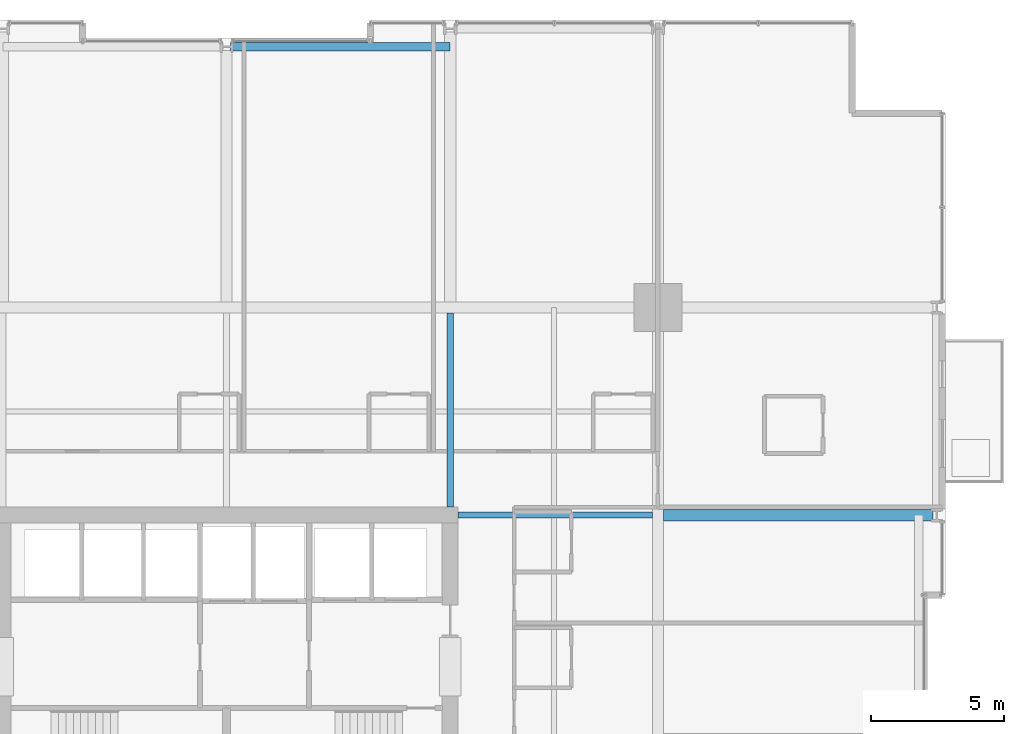
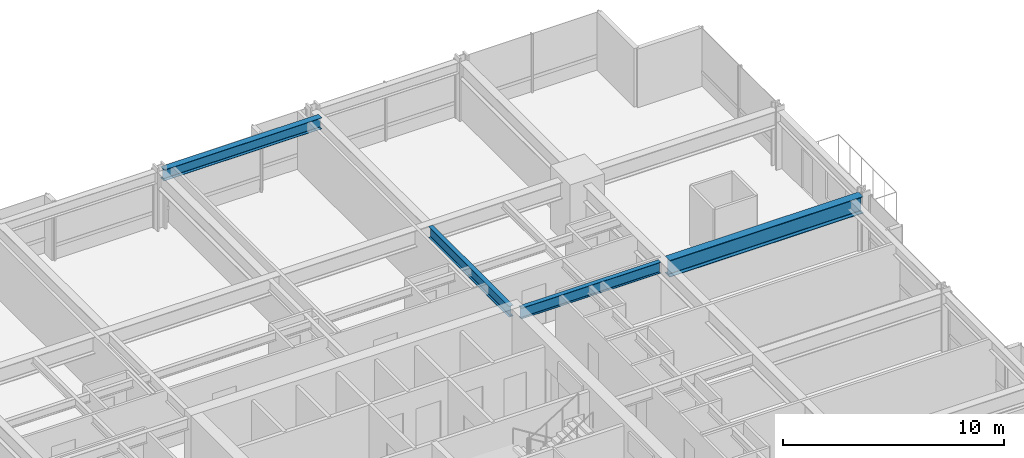
# One storey, part 24 of 38: 4 beams.
"""IFC4 building model written with IfcOpenShell, lengths in metres."""

import ifcopenshell
import ifcopenshell.guid

model = None  # the IFC model being written
_history = None  # IfcOwnerHistory: only IFC2X3 demands one
_inside = {}  # id of a spatial element -> (the spatial element, [elements in it])
_under = {}  # id of a project, library or spatial element -> (it, [spatial elements below it])
_declared = {}  # id of a project -> (the project, [libraries it declares])
_typed = {}  # id of a type object -> (the type object, [elements of that type])
_made_of = {}  # id of a material, layer set ... -> (it, [elements and type objects made of it])


def new_model(schema):
    """Start an empty IFC model of exactly this schema.

    Asked for "IFC4X3", IfcOpenShell would pick the latest addendum, in which some entities
    have other attributes; the version numbers below select the first issue.
    IFC2X3 requires an IfcOwnerHistory on every rooted entity: one is made here for all.
    """
    global model, _history
    if schema == "IFC4X3":
        model = ifcopenshell.file(schema_version=(4, 3, 0, 0))
    else:
        model = ifcopenshell.file(schema=schema)
    _inside.clear()
    _under.clear()
    _declared.clear()
    _typed.clear()
    _made_of.clear()
    _history = None
    if model.schema == "IFC2X3":
        org = make("IfcOrganization", Name="unknown")
        user = make(
            "IfcPersonAndOrganization",
            ThePerson=make("IfcPerson", FamilyName="unknown"),
            TheOrganization=org,
        )
        app = make(
            "IfcApplication",
            ApplicationDeveloper=org,
            Version="unknown",
            ApplicationFullName="unknown",
            ApplicationIdentifier="unknown",
        )
        _history = make(
            "IfcOwnerHistory",
            OwningUser=user,
            OwningApplication=app,
            ChangeAction="ADDED",
            CreationDate=0,
        )
    return model


def make(cls, **values):
    """One entity of the class cls with the attributes given. An attribute that is None is left unset."""
    return model.create_entity(
        cls, **{name: value for name, value in values.items() if value is not None}
    )


def rooted(cls, **values):
    """An entity with a GlobalId (a new one), such as an element, a storey or a relation."""
    return make(cls, GlobalId=ifcopenshell.guid.new(), OwnerHistory=_history, **values)


def si_unit(unit_type, name, prefix=None):
    """IfcSIUnit, for example si_unit("LENGTHUNIT", "METRE", prefix="MILLI")."""
    return make("IfcSIUnit", UnitType=unit_type, Prefix=prefix, Name=name)


def assignment(units):
    """IfcUnitAssignment: the units of a project."""
    return None if units is None else make("IfcUnitAssignment", Units=units)


def point(xyz):
    """IfcCartesianPoint."""
    return None if xyz is None else make("IfcCartesianPoint", Coordinates=xyz)


def direction(xyz):
    """IfcDirection."""
    return None if xyz is None else make("IfcDirection", DirectionRatios=xyz)


def frame(location, z_axis=None, x_axis=None):
    """IfcAxis2Placement3D, a coordinate frame: its origin and axes. An axis left out is left unset."""
    return make(
        "IfcAxis2Placement3D",
        Location=point(location),
        Axis=direction(z_axis),
        RefDirection=direction(x_axis),
    )


def frame_2d(location, x_axis=None):
    """IfcAxis2Placement2D, a coordinate frame in the plane: its origin and x axis."""
    return make(
        "IfcAxis2Placement2D", Location=point(location), RefDirection=direction(x_axis)
    )


def origin():
    """The frame at (0, 0, 0) with its axes left unset."""
    return frame((0.0, 0.0, 0.0))


def origin_2d():
    """The frame at (0, 0) in the plane with its x axis left unset."""
    return frame_2d((0.0, 0.0))


def place(relative_to, where):
    """IfcLocalPlacement: puts the frame where relative to a parent placement (None: the world)."""
    return make(
        "IfcLocalPlacement", PlacementRelTo=relative_to, RelativePlacement=where
    )


def context(
    kind, dimensions, precision=None, world=None, true_north=None, identifier=None
):
    """IfcGeometricRepresentationContext, for example the 3D "Model" context."""
    return make(
        "IfcGeometricRepresentationContext",
        ContextIdentifier=identifier,
        ContextType=kind,
        CoordinateSpaceDimension=dimensions,
        Precision=precision,
        WorldCoordinateSystem=world,
        TrueNorth=true_north,
    )


def subcontext(parent, identifier, kind, view, scale=None):
    """IfcGeometricRepresentationSubContext, for example "Body" below "Model"."""
    return make(
        "IfcGeometricRepresentationSubContext",
        ContextIdentifier=identifier,
        ContextType=kind,
        ParentContext=parent,
        TargetScale=scale,
        TargetView=view,
    )


def project(units=None, contexts=None):
    """IfcProject with its units and contexts."""
    return rooted(
        "IfcProject",
        Name="project",
        RepresentationContexts=contexts,
        UnitsInContext=assignment(units),
    )


def spatial(cls, under=None, at=None, **own):
    """A site, building, storey or space (cls), placed at a placement, below another one or the project."""
    s = rooted(cls, ObjectPlacement=at, **own)
    if under is not None:
        _under.setdefault(under.id(), (under, []))[1].append(s)
    return s


def profile(cls, at=None, kind="AREA", **sizes):
    """A parametric profile (cls). Its sizes go by their IFC names, for example OverallWidth=200.0."""
    return make(cls, ProfileType=kind, Position=at, **sizes)


def i_section(**sizes):
    """IfcIShapeProfileDef."""
    return profile("IfcIShapeProfileDef", **sizes)


def extrude(swept, where, along, depth):
    """IfcExtrudedAreaSolid: the profile swept, set in the frame where, extruded along a direction by depth."""
    return make(
        "IfcExtrudedAreaSolid",
        SweptArea=swept,
        Position=where,
        ExtrudedDirection=direction(along),
        Depth=depth,
    )


def shape(context_of_items, identifier, shape_type, items):
    """IfcShapeRepresentation: the items that make up one representation, for example the "Body"."""
    return make(
        "IfcShapeRepresentation",
        ContextOfItems=context_of_items,
        RepresentationIdentifier=identifier,
        RepresentationType=shape_type,
        Items=items,
    )


def material(Name=None, Category=None):
    """IfcMaterial."""
    return make("IfcMaterial", Name=Name, Category=Category)


def material_profile(
    of_material, cross_section, Name=None, Category=None, Priority=None
):
    """IfcMaterialProfile: a cross section and its material."""
    return make(
        "IfcMaterialProfile",
        Name=Name,
        Material=of_material,
        Profile=cross_section,
        Priority=Priority,
        Category=Category,
    )


def profile_set(profiles, Name=None, composite=None):
    """IfcMaterialProfileSet."""
    return make(
        "IfcMaterialProfileSet",
        Name=Name,
        MaterialProfiles=profiles,
        CompositeProfile=composite,
    )


def made_of(thing, what):
    """Note that an element or type object is made of a material, layer set ...; save() writes the relation."""
    if what is not None:
        _made_of.setdefault(what.id(), (what, []))[1].append(thing)
    return thing


def type_object(cls, material=None, **own):
    """A type object (cls), such as IfcWallType, which elements share."""
    return made_of(rooted(cls, **own), material)


def element(
    cls,
    number,
    at=None,
    inside=None,
    cuts=None,
    type_object=None,
    material=None,
    context=None,
    identifier="Body",
    shape_type=None,
    held_by="IfcProductDefinitionShape",
    body=None,
    shapes=None,
    **own,
):
    """One element of the class cls, such as IfcWall. Its Tag is "e" and its number.

    at: its placement. inside: the storey or other place that contains it. cuts: it is an
    opening in that element (IfcRelVoidsElement). A single representation is given by context,
    identifier, shape_type and body (its items); several are given by shapes. held_by: the class
    of the entity that holds the representations. save() writes the other relations.
    """
    e = rooted(cls, Tag="e%d" % number, ObjectPlacement=at, **own)
    if body is not None:
        shapes = [shape(context, identifier, shape_type, body)]
    if shapes is not None:
        e.Representation = make(held_by, Representations=shapes)
    if inside is not None:
        _inside.setdefault(inside.id(), (inside, []))[1].append(e)
    if cuts is not None:
        rooted(
            "IfcRelVoidsElement", RelatingBuildingElement=cuts, RelatedOpeningElement=e
        )
    if type_object is not None:
        _typed.setdefault(type_object.id(), (type_object, []))[1].append(e)
    return made_of(e, material)


def aggregate(whole, parts):
    """IfcRelAggregates: a whole, such as a stair, and the parts it consists of."""
    return rooted("IfcRelAggregates", RelatingObject=whole, RelatedObjects=parts)


def save(model, path):
    """Write the relations noted so far, then the file.

    IfcRelAggregates (storeys below a building ...), IfcRelContainedInSpatialStructure (elements
    in a storey), IfcRelDefinesByType, IfcRelAssociatesMaterial and IfcRelDeclares: one each for
    every whole, place, type object, material and project.
    """
    for whole, parts in _under.values():
        aggregate(whole, parts)
    for where, things in _inside.values():
        rooted(
            "IfcRelContainedInSpatialStructure",
            RelatedElements=things,
            RelatingStructure=where,
        )
    for kind, things in _typed.values():
        rooted("IfcRelDefinesByType", RelatedObjects=things, RelatingType=kind)
    for what, things in _made_of.values():
        rooted("IfcRelAssociatesMaterial", RelatedObjects=things, RelatingMaterial=what)
    for by, libraries in _declared.values():
        rooted("IfcRelDeclares", RelatingContext=by, RelatedDefinitions=libraries)
    model.write(path)


model = new_model("IFC4")

# Units and contexts
model_context = context("Model", 3, precision=1e-05, world=origin(), true_north=direction((0.0, 1.0)))
body_context = subcontext(model_context, "Body", "Model", "MODEL_VIEW")
ifc_project = project(units=[si_unit("LENGTHUNIT", "METRE"), si_unit("AREAUNIT", "SQUARE_METRE"), si_unit("VOLUMEUNIT", "CUBIC_METRE"), si_unit("PLANEANGLEUNIT", "RADIAN"), si_unit("MASSUNIT", "GRAM", prefix="KILO")], contexts=[model_context])

# Site, building, storey
site_placement = place(None, origin())
site = spatial("IfcSite", under=ifc_project, at=site_placement, CompositionType="ELEMENT")
building_placement = place(site_placement, origin())
building = spatial("IfcBuilding", under=site, at=building_placement, Name="Drelvath Grand Hotel", CompositionType="ELEMENT")
storey_placement = place(building_placement, frame((0.0, 0.0, 50.699951171875)))
storey = spatial("IfcBuildingStorey", under=building, at=storey_placement, Name="L11", CompositionType="ELEMENT", Elevation=50.699951171875)

# Beams
ifc_material = material(Name="Steel ASTM A992 Gr 50", Category="steel")
ifc_material_profile_1 = material_profile(ifc_material, i_section(OverallWidth=0.323974609375, OverallDepth=0.611083984375, WebThickness=0.0126953125, FlangeThickness=0.01904296875, FilletRadius=0.02197265625, at=origin_2d()), Name="W24X104")
ifc_profile_set_1 = profile_set([ifc_material_profile_1], Name="Steel ASTM A992 Gr 50")
beam_type_1 = type_object("IfcBeamType", Name="Perimeter Spandrel Beam W24X104", PredefinedType="SPANDREL", material=ifc_profile_set_1)
beam_1_placement = place(storey_placement, frame((0.139892578125, 53.0, 2.9345703125), z_axis=(1.0, 0.0, 0.0), x_axis=(0.0, 1.0, 0.0)))
element("IfcBeam", 1, at=beam_1_placement, inside=storey, type_object=beam_type_1, Name="L11 Spandrel North Mid E", PredefinedType="SPANDREL", context=body_context, shape_type="SweptSolid", body=[
    extrude(i_section(OverallWidth=0.323974609375, OverallDepth=0.611083984375, WebThickness=0.0126953125, FlangeThickness=0.01904296875, FilletRadius=0.02197265625, at=origin_2d()), origin(), (0.0, 0.0, 1.0), 8.260009765625),
])
ifc_material_profile_2 = material_profile(ifc_material, i_section(OverallWidth=0.228271484375, OverallDepth=0.607666015625, WebThickness=0.01123046875, FlangeThickness=0.017333984375, FilletRadius=0.02001953125, at=origin_2d()), Name="W24X76")
ifc_profile_set_2 = profile_set([ifc_material_profile_2], Name="Steel ASTM A992 Gr 50")
beam_type_2 = type_object("IfcBeamType", Name="Primary Floor Girder W24X76", PredefinedType="BEAM", material=ifc_profile_set_2)
for number, where, z_axis, x_axis, name in (
    (2, (8.699951171875, 35.39990234375, 2.936279296875), (1.0, 0.0, 0.0), (0.0, 1.0, 0.0), "L11 East Core Tie F"),
    (3, (8.39990234375, 35.699951171875, 2.936279296875), (0.0, 1.0, 0.0), (-1.0, 0.0, 0.0), "L11 North Core Tie 6"),
):
    element("IfcBeam", number, at=place(storey_placement, frame(where, z_axis=z_axis, x_axis=x_axis)), inside=storey, type_object=beam_type_2, Name=name, PredefinedType="BEAM", context=body_context, shape_type="SweptSolid", body=[
        extrude(i_section(OverallWidth=0.228271484375, OverallDepth=0.607666015625, WebThickness=0.01123046875, FlangeThickness=0.017333984375, FilletRadius=0.02001953125, at=origin_2d()), origin(), (0.0, 0.0, 1.0), 7.290771484375),
    ])
ifc_material_profile_3 = material_profile(ifc_material, i_section(OverallWidth=0.418212890625, OverallDepth=0.926513671875, WebThickness=0.019287109375, FlangeThickness=0.031982421875, FilletRadius=0.028076171875, at=origin_2d()), Name="W36X231")
ifc_profile_set_3 = profile_set([ifc_material_profile_3], Name="Steel ASTM A992 Gr 50")
beam_type_3 = type_object("IfcBeamType", Name="Primary Floor Girder W36X231", PredefinedType="BEAM", material=ifc_profile_set_3)
beam_2_placement = place(storey_placement, frame((16.4091796875, 35.39990234375, 2.77685546875), z_axis=(1.0, 0.0, 0.0), x_axis=(0.0, 1.0, 0.0)))
element("IfcBeam", 4, at=beam_2_placement, inside=storey, type_object=beam_type_3, Name="L11 East Wing Girder F", PredefinedType="BEAM", context=body_context, shape_type="SweptSolid", body=[
    extrude(i_section(OverallWidth=0.418212890625, OverallDepth=0.926513671875, WebThickness=0.019287109375, FlangeThickness=0.031982421875, FilletRadius=0.028076171875, at=origin_2d()), origin(), (0.0, 0.0, 1.0), 10.130859375),
])

save(model, "model.ifc")
